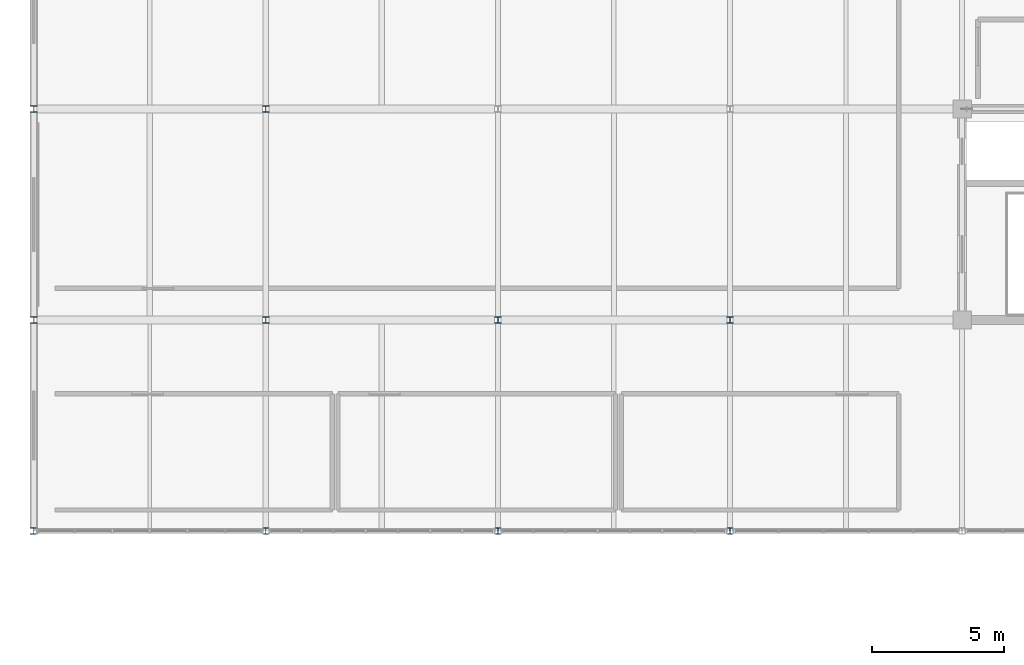
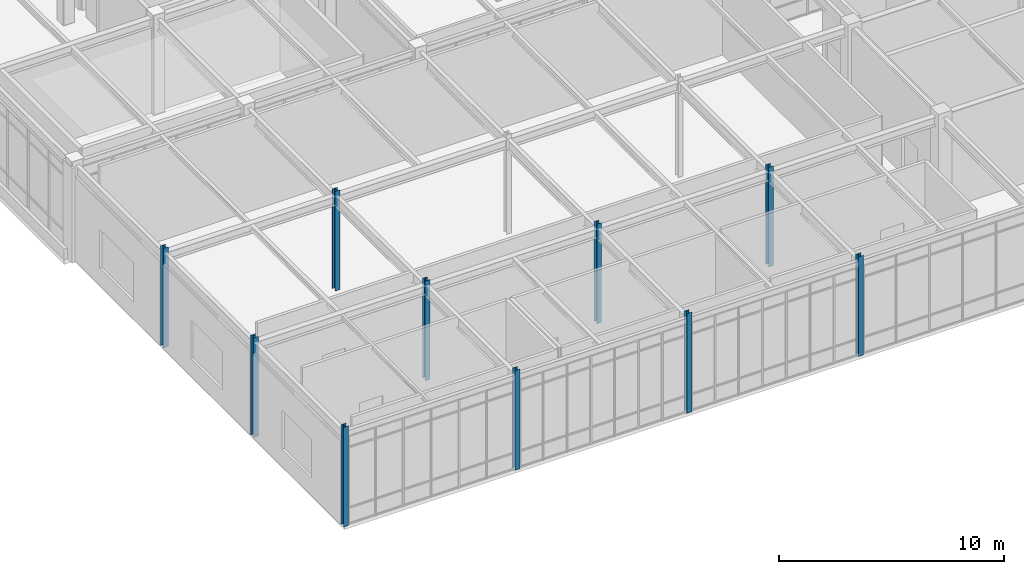
# One storey, part 1 of 184: 10 columns.
"""IFC4 building model written with IfcOpenShell, lengths in metres."""

from ifc_helpers import new_model, si_unit, direction, frame, origin, origin_2d, place, context, subcontext, project, spatial, i_section, extrude, material, material_profile, profile_set, type_object, element, save


model = new_model("IFC4")

# Units and contexts
model_context = context("Model", 3, precision=1e-05, world=origin(), true_north=direction((0.0, 1.0)))
body_context = subcontext(model_context, "Body", "Model", "MODEL_VIEW")
ifc_project = project(units=[si_unit("LENGTHUNIT", "METRE"), si_unit("AREAUNIT", "SQUARE_METRE"), si_unit("VOLUMEUNIT", "CUBIC_METRE"), si_unit("PLANEANGLEUNIT", "RADIAN"), si_unit("MASSUNIT", "GRAM", prefix="KILO")], contexts=[model_context])

# Site, building, storey
site_placement = place(None, origin())
site = spatial("IfcSite", under=ifc_project, at=site_placement, CompositionType="ELEMENT")
building_placement = place(site_placement, origin())
building = spatial("IfcBuilding", under=site, at=building_placement, Name="Zhaolan Boulevard Law Courts", CompositionType="ELEMENT")
storey_placement = place(building_placement, frame((0.0, 0.0, 5.39990234375)))
storey = spatial("IfcBuildingStorey", under=building, at=storey_placement, Name="L01", CompositionType="ELEMENT", Elevation=5.39990234375)

# Columns
ifc_material = material(Name="Structural steel Q355B", Category="steel")
ifc_material_profile = material_profile(ifc_material, i_section(OverallWidth=0.25, OverallDepth=0.25, WebThickness=0.009033203125, FlangeThickness=0.013916015625, FilletRadius=0.01611328125, at=origin_2d()), Name="HW250x250")
ifc_profile_set = profile_set([ifc_material_profile], Name="Structural steel Q355B")
column_type = type_object("IfcColumnType", Name="COL HW250", PredefinedType="COLUMN", material=ifc_profile_set)
for number, where, z_axis, x_axis, name in (
    (1, (0.0, 6.0, 0.0), (0.0, 0.0, 1.0), (1.0, 0.0, 0.0), "Column C-1B (L01)"),
    (2, (0.0, 14.0, 0.0), (0.0, 0.0, 1.0), (1.0, 0.0, 0.0), "Column C-1C (L01)"),
    (3, (0.0, 22.0, 0.0), (0.0, 0.0, 1.0), (1.0, 0.0, 0.0), "Column C-1D (L01)"),
    (4, (8.800048828125, 6.0, 0.0), (0.0, 0.0, 1.0), (1.0, 0.0, 0.0), "Column C-2B (L01)"),
    (5, (8.800048828125, 14.0, 0.0), (0.0, 0.0, 1.0), (1.0, 0.0, 0.0), "Column C-2C (L01)"),
    (6, (8.800048828125, 22.0, 0.0), (0.0, 0.0, 1.0), (1.0, 0.0, 0.0), "Column C-2D (L01)"),
    (7, (17.60009765625, 6.0, 0.0), (0.0, 0.0, 1.0), (1.0, 0.0, 0.0), "Column C-3B (L01)"),
    (8, (17.60009765625, 14.0, 0.0), (0.0, 0.0, 1.0), (1.0, 0.0, 0.0), "Column C-3C (L01)"),
    (9, (26.39990234375, 6.0, 0.0), (0.0, 0.0, 1.0), (1.0, 0.0, 0.0), "Column C-4B (L01)"),
    (10, (26.39990234375, 14.0, 0.0), (0.0, 0.0, 1.0), (1.0, 0.0, 0.0), "Column C-4C (L01)"),
):
    element("IfcColumn", number, at=place(storey_placement, frame(where, z_axis=z_axis, x_axis=x_axis)), inside=storey, type_object=column_type, Name=name, PredefinedType="COLUMN", context=body_context, shape_type="SweptSolid", body=[
        extrude(i_section(OverallWidth=0.25, OverallDepth=0.25, WebThickness=0.009033203125, FlangeThickness=0.013916015625, FilletRadius=0.01611328125, at=origin_2d()), origin(), (0.0, 0.0, 1.0), 5.400146484375),
    ])

save(model, "model.ifc")
